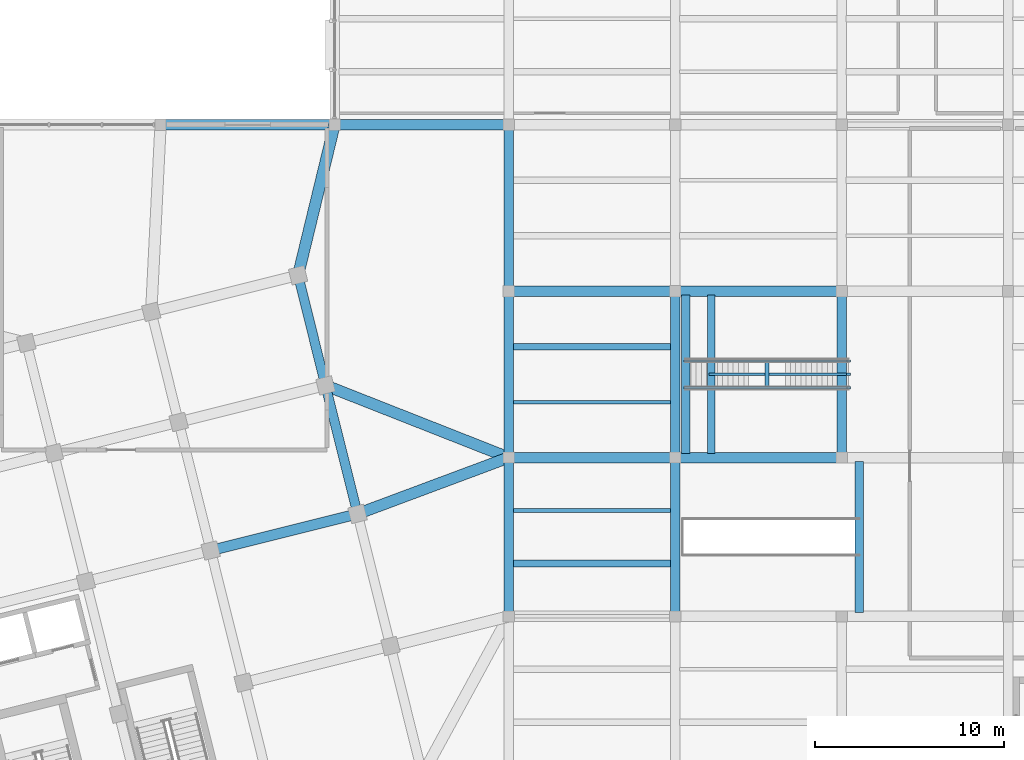
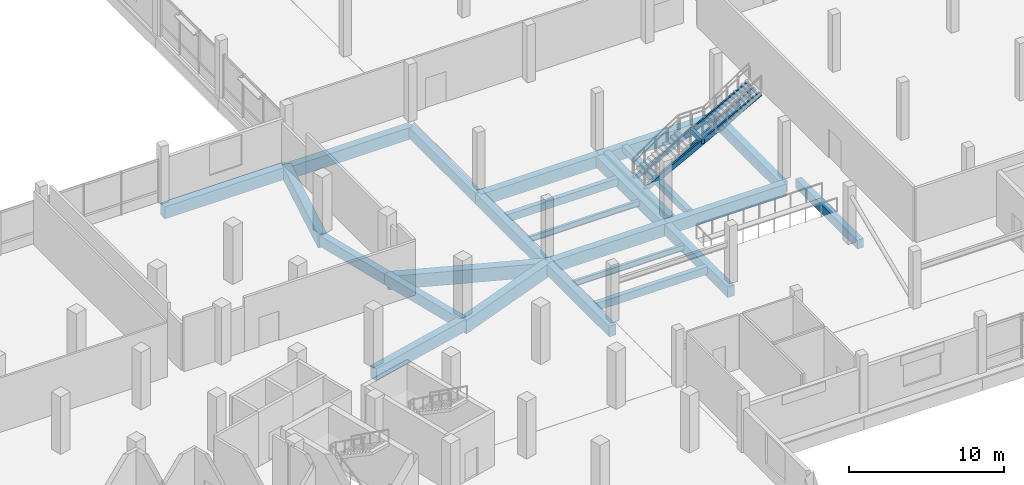
# One storey, part 42 of 77: 26 beams, 3 members.
"""IFC4 building model written with IfcOpenShell, lengths in metres."""

from ifc_helpers import new_model, si_unit, direction, frame, origin, origin_2d, place, context, subcontext, project, spatial, rectangle, i_section, extrude, material, material_profile, profile_set, type_object, element, save


model = new_model("IFC4")

# Units and contexts
model_context = context("Model", 3, precision=1e-05, world=origin(), true_north=direction((0.0, 1.0)))
body_context = subcontext(model_context, "Body", "Model", "MODEL_VIEW")
ifc_project = project(units=[si_unit("LENGTHUNIT", "METRE"), si_unit("AREAUNIT", "SQUARE_METRE"), si_unit("VOLUMEUNIT", "CUBIC_METRE"), si_unit("PLANEANGLEUNIT", "RADIAN"), si_unit("MASSUNIT", "GRAM", prefix="KILO")], contexts=[model_context])

# Site, building, storey
site_placement = place(None, origin())
site = spatial("IfcSite", under=ifc_project, at=site_placement, CompositionType="ELEMENT")
building_placement = place(site_placement, origin())
building = spatial("IfcBuilding", under=site, at=building_placement, Name="Meriwether Solvik Hall", CompositionType="ELEMENT")
storey_placement = place(building_placement, frame((0.0, 0.0, 9.89990234375)))
storey = spatial("IfcBuildingStorey", under=building, at=storey_placement, Name="L02", CompositionType="ELEMENT", Elevation=9.89990234375)

# Beams
ifc_material_1 = material(Name="Glulam Douglas-Fir 24F-V8 GL28h", Category="wood")
ifc_material_profile_1 = material_profile(ifc_material_1, rectangle(XDim=0.221923828125, YDim=0.340087890625, at=origin_2d()), Name="GLB-222X340")
ifc_profile_set_1 = profile_set([ifc_material_profile_1], Name="Glulam Douglas-Fir 24F-V8 GL28h")
beam_type_1 = type_object("IfcBeamType", Name="BM-LND-GL-222X340", PredefinedType="BEAM", material=ifc_profile_set_1)
beam_1_placement = place(storey_placement, frame((127.860107421875, 78.824951171875, 1.905029296875), z_axis=(0.0, 1.0, 0.0), x_axis=(-1.0, 0.0, 0.0)))
element("IfcBeam", 1, at=beam_1_placement, inside=storey, type_object=beam_type_1, Name="Stair ST-LB3 Landing Cross-Bearer", PredefinedType="BEAM", context=body_context, shape_type="SweptSolid", body=[
    extrude(rectangle(XDim=0.221923828125, YDim=0.340087890625, at=origin_2d()), origin(), (0.0, 0.0, 1.0), 1.550048828125),
])
ifc_material_2 = material(Name="Concrete C40/50", Category="concrete")
ifc_material_profile_2 = material_profile(ifc_material_2, rectangle(XDim=0.39990234375, YDim=0.47998046875, at=origin_2d()), Name="RCB-400X480")
ifc_profile_set_2 = profile_set([ifc_material_profile_2], Name="Concrete C40/50")
beam_type_2 = type_object("IfcBeamType", Name="BM-LND-RC-400X480", PredefinedType="BEAM", material=ifc_profile_set_2)
beam_2_placement = place(storey_placement, frame((124.8994140625, 75.4150390625, -0.56982421875), z_axis=(0.0, 1.0, 0.0), x_axis=(-1.0, 0.0, 0.0)))
element("IfcBeam", 2, at=beam_2_placement, inside=storey, type_object=beam_type_2, Name="Stair ST-LB3 Spine Trimmer Beam", PredefinedType="BEAM", context=body_context, shape_type="SweptSolid", body=[
    extrude(rectangle(XDim=0.39990234375, YDim=0.47998046875, at=origin_2d()), origin(), (0.0, 0.0, 1.0), 8.369873046875),
])
ifc_material_3 = material(Name="Concrete C40/50", Category="concrete")
ifc_material_profile_3 = material_profile(ifc_material_3, rectangle(XDim=0.35009765625, YDim=0.60009765625, at=origin_2d()), Name="RCB-350X600")
ifc_profile_set_3 = profile_set([ifc_material_profile_3], Name="Concrete C40/50")
beam_type_3 = type_object("IfcBeamType", Name="BM-RC-350X600", PredefinedType="JOIST", material=ifc_profile_set_3)
for number, where, z_axis, x_axis, name in (
    (3, (114.445068359375, 69.60009765625, -0.75), (1.0, 0.0, 0.0), (0.0, 1.0, 0.0), "Secondary Floor Joist 13/H_J1 (L02)"),
    (4, (114.445068359375, 81.066650390625, -0.75), (1.0, 0.0, 0.0), (0.0, 1.0, 0.0), "Secondary Floor Joist 13/I_J2 (L02)"),
):
    element("IfcBeam", number, at=place(storey_placement, frame(where, z_axis=z_axis, x_axis=x_axis)), inside=storey, type_object=beam_type_3, Name=name, PredefinedType="JOIST", context=body_context, shape_type="SweptSolid", body=[
        extrude(rectangle(XDim=0.35009765625, YDim=0.60009765625, at=origin_2d()), origin(), (0.0, 0.0, 1.0), 8.309814453125),
    ])
ifc_material_4 = material(Name="Concrete C40/50", Category="concrete")
ifc_material_profile_4 = material_profile(ifc_material_4, rectangle(XDim=0.449951171875, YDim=0.699951171875, at=origin_2d()), Name="RCB-450X700")
ifc_profile_set_4 = profile_set([ifc_material_profile_4], Name="Concrete C40/50")
beam_type_4 = type_object("IfcBeamType", Name="BM-RC-450X700", PredefinedType="BEAM", material=ifc_profile_set_4)
beam_3_placement = place(storey_placement, frame((132.72998046875, 67.014892578125, -0.679931640625), z_axis=(0.0, 1.0, 0.0), x_axis=(-1.0, 0.0, 0.0)))
element("IfcBeam", 5, at=beam_3_placement, inside=storey, type_object=beam_type_4, Name="Stair ST-LB1 Top Trimmer Beam", PredefinedType="BEAM", context=body_context, shape_type="SweptSolid", body=[
    extrude(rectangle(XDim=0.449951171875, YDim=0.699951171875, at=origin_2d()), origin(), (0.0, 0.0, 1.0), 7.97021484375),
])
beam_4_placement = place(storey_placement, frame((123.550048828125, 75.4150390625, -0.679931640625), z_axis=(0.0, 1.0, 0.0), x_axis=(-1.0, 0.0, 0.0)))
element("IfcBeam", 6, at=beam_4_placement, inside=storey, type_object=beam_type_4, Name="Stair ST-LB3 Bottom Trimmer Beam", PredefinedType="BEAM", context=body_context, shape_type="SweptSolid", body=[
    extrude(rectangle(XDim=0.449951171875, YDim=0.699951171875, at=origin_2d()), origin(), (0.0, 0.0, 1.0), 8.369873046875),
])
ifc_material_5 = material(Name="Concrete C40/50", Category="concrete")
ifc_material_profile_5 = material_profile(ifc_material_5, rectangle(XDim=0.5, YDim=0.85009765625, at=origin_2d()), Name="RCB-500X850")
ifc_profile_set_5 = profile_set([ifc_material_profile_5], Name="Concrete C40/50")
beam_type_5 = type_object("IfcBeamType", Name="BM-RC-500X850", PredefinedType="BEAM", material=ifc_profile_set_5)
beam_5_placement = place(storey_placement, frame((114.199951171875, 66.800048828125, -0.875), z_axis=(0.0, 1.0, 0.0), x_axis=(-1.0, 0.0, 0.0)))
element("IfcBeam", 7, at=beam_5_placement, inside=storey, type_object=beam_type_5, Name="Podium Girder 13:H-I (L02)", PredefinedType="BEAM", context=body_context, shape_type="SweptSolid", body=[
    extrude(rectangle(XDim=0.5, YDim=0.85009765625, at=origin_2d()), origin(), (0.0, 0.0, 1.0), 8.39990234375),
])
for number, where, z_axis, x_axis, name in (
    (8, (114.199951171875, 75.199951171875, -0.875), (0.0, 1.0, 0.0), (-1.0, 0.0, 0.0), "Podium Girder 13:I-J (L02)"),
    (9, (114.199951171875, 84.0, -0.875), (0.0, 1.0, 0.0), (-1.0, 0.0, 0.0), "Podium Girder 13:J-K (L02)"),
):
    element("IfcBeam", number, at=place(storey_placement, frame(where, z_axis=z_axis, x_axis=x_axis)), inside=storey, type_object=beam_type_5, Name=name, PredefinedType="BEAM", context=body_context, shape_type="SweptSolid", body=[
        extrude(rectangle(XDim=0.5, YDim=0.85009765625, at=origin_2d()), origin(), (0.0, 0.0, 1.0), 8.800048828125),
    ])
beam_6_placement = place(storey_placement, frame((123.0, 66.800048828125, -0.875), z_axis=(0.0, 1.0, 0.0), x_axis=(-1.0, 0.0, 0.0)))
element("IfcBeam", 10, at=beam_6_placement, inside=storey, type_object=beam_type_5, Name="Podium Girder 14:H-I (L02)", PredefinedType="BEAM", context=body_context, shape_type="SweptSolid", body=[
    extrude(rectangle(XDim=0.5, YDim=0.85009765625, at=origin_2d()), origin(), (0.0, 0.0, 1.0), 8.39990234375),
])
for number, where, z_axis, x_axis, name in (
    (11, (123.0, 75.199951171875, -0.875), (0.0, 1.0, 0.0), (-1.0, 0.0, 0.0), "Podium Girder 14:I-J (L02)"),
    (12, (131.800048828125, 75.199951171875, -0.875), (0.0, 1.0, 0.0), (-1.0, 0.0, 0.0), "Podium Girder 15:I-J (L02)"),
):
    element("IfcBeam", number, at=place(storey_placement, frame(where, z_axis=z_axis, x_axis=x_axis)), inside=storey, type_object=beam_type_5, Name=name, PredefinedType="BEAM", context=body_context, shape_type="SweptSolid", body=[
        extrude(rectangle(XDim=0.5, YDim=0.85009765625, at=origin_2d()), origin(), (0.0, 0.0, 1.0), 8.800048828125),
    ])
beam_7_placement = place(storey_placement, frame((106.212646484375, 72.220703125, -0.7548828125), z_axis=(-0.241903692719, 0.970300264582, 0.0), x_axis=(-0.970300264582, -0.241903692719, 0.0)))
element("IfcBeam", 13, at=beam_7_placement, inside=storey, type_object=beam_type_5, Name="Tower Girder T7:TD-TE (L02)", PredefinedType="BEAM", context=body_context, shape_type="SweptSolid", body=[
    extrude(rectangle(XDim=0.5, YDim=0.85009765625, at=origin_2d()), origin(), (0.0, 0.0, 1.0), 7.000244140625),
])
beam_8_placement = place(storey_placement, frame((104.519287109375, 79.012939453125, -0.7548828125), z_axis=(-0.241941986192, 0.970290716908, 0.0), x_axis=(-0.970290716908, -0.241941986192, 0.0)))
element("IfcBeam", 14, at=beam_8_placement, inside=storey, type_object=beam_type_5, Name="Tower Girder T7:TE-TF (L02)", PredefinedType="BEAM", context=body_context, shape_type="SweptSolid", body=[
    extrude(rectangle(XDim=0.5, YDim=0.85009765625, at=origin_2d()), origin(), (0.0, 0.0, 1.0), 6.0),
])
ifc_material_6 = material(Name="Concrete C40/50", Category="concrete")
ifc_material_profile_6 = material_profile(ifc_material_6, rectangle(XDim=0.550048828125, YDim=0.949951171875, at=origin_2d()), Name="RCB-550X950")
ifc_profile_set_6 = profile_set([ifc_material_profile_6], Name="Concrete C40/50")
beam_type_6 = type_object("IfcBeamType", Name="BM-RC-550X950", PredefinedType="BEAM", material=ifc_profile_set_6)
for number, where, z_axis, x_axis, name in (
    (15, (114.199951171875, 75.199951171875, -0.9248046875), (1.0, 0.0, 0.0), (0.0, 1.0, 0.0), "Podium Girder I:13-14 (L02)"),
    (16, (123.0, 75.199951171875, -0.9248046875), (1.0, 0.0, 0.0), (0.0, 1.0, 0.0), "Podium Girder I:14-15 (L02)"),
    (17, (114.199951171875, 84.0, -0.9248046875), (1.0, 0.0, 0.0), (0.0, 1.0, 0.0), "Podium Girder J:13-14 (L02)"),
    (18, (123.0, 84.0, -0.9248046875), (1.0, 0.0, 0.0), (0.0, 1.0, 0.0), "Podium Girder J:14-15 (L02)"),
):
    element("IfcBeam", number, at=place(storey_placement, frame(where, z_axis=z_axis, x_axis=x_axis)), inside=storey, type_object=beam_type_6, Name=name, PredefinedType="BEAM", context=body_context, shape_type="SweptSolid", body=[
        extrude(rectangle(XDim=0.550048828125, YDim=0.949951171875, at=origin_2d()), origin(), (0.0, 0.0, 1.0), 8.800048828125),
    ])
for number, where, z_axis, x_axis, name in (
    (19, (95.800048828125, 92.800048828125, -0.804931640625), (1.0, 0.0, 0.0), (0.0, 1.0, 0.0), "Podium Girder K:11-12 (L02)"),
    (20, (105.0, 92.800048828125, -0.9248046875), (1.0, 0.0, 0.0), (0.0, 1.0, 0.0), "Podium Girder K:12-13 (L02)"),
):
    element("IfcBeam", number, at=place(storey_placement, frame(where, z_axis=z_axis, x_axis=x_axis)), inside=storey, type_object=beam_type_6, Name=name, PredefinedType="BEAM", context=body_context, shape_type="SweptSolid", body=[
        extrude(rectangle(XDim=0.550048828125, YDim=0.949951171875, at=origin_2d()), origin(), (0.0, 0.0, 1.0), 9.199951171875),
    ])
beam_9_placement = place(storey_placement, frame((98.4501953125, 70.285400390625, -0.804931640625), z_axis=(0.970298475929, 0.241910867076, 0.0), x_axis=(-0.241910867076, 0.970298475929, 0.0)))
element("IfcBeam", 21, at=beam_9_placement, inside=storey, type_object=beam_type_6, Name="Tower Girder TD:T6-T7 (L02)", PredefinedType="BEAM", context=body_context, shape_type="SweptSolid", body=[
    extrude(rectangle(XDim=0.550048828125, YDim=0.949951171875, at=origin_2d()), origin(), (0.0, 0.0, 1.0), 8.0),
])
ifc_material_7 = material(Name="Concrete C40/50", Category="concrete")
ifc_material_profile_7 = material_profile(ifc_material_7, rectangle(XDim=0.60009765625, YDim=1.050048828125, at=origin_2d()), Name="RCB-600X1050")
ifc_profile_set_7 = profile_set([ifc_material_profile_7], Name="Concrete C40/50")
beam_type_7 = type_object("IfcBeamType", Name="BM-RC-600X1050", PredefinedType="BEAM", material=ifc_profile_set_7)
beam_10_placement = place(storey_placement, frame((106.212646484375, 72.220703125, -0.974853515625), z_axis=(0.93694444662, 0.349478331156, 0.0), x_axis=(-0.349478331156, 0.93694444662, 0.0)))
element("IfcBeam", 22, at=beam_10_placement, inside=storey, type_object=beam_type_7, Name="Diaphragm Collector Girder T7/TD-13/I (L02)", PredefinedType="BEAM", context=body_context, shape_type="SweptSolid", body=[
    extrude(rectangle(XDim=0.60009765625, YDim=1.050048828125, at=origin_2d()), origin(), (0.0, 0.0, 1.0), 8.52490234375),
])
beam_11_placement = place(storey_placement, frame((104.519287109375, 79.012939453125, -0.974853515625), z_axis=(0.930428275018, -0.366474044165, 0.0), x_axis=(0.366474044165, 0.930428275018, 0.0)))
element("IfcBeam", 23, at=beam_11_placement, inside=storey, type_object=beam_type_7, Name="Diaphragm Collector Girder T7/TE-13/I (L02)", PredefinedType="BEAM", context=body_context, shape_type="SweptSolid", body=[
    extrude(rectangle(XDim=0.60009765625, YDim=1.050048828125, at=origin_2d()), origin(), (0.0, 0.0, 1.0), 10.404541015625),
])
beam_12_placement = place(storey_placement, frame((103.067626953125, 84.834716796875, -0.85498046875), z_axis=(0.235759443043, 0.971811445197, 0.0), x_axis=(-0.971811445197, 0.235759443043, 0.0)))
element("IfcBeam", 24, at=beam_12_placement, inside=storey, type_object=beam_type_7, Name="Diaphragm Collector Girder T7/TF-12/K (L02)", PredefinedType="BEAM", context=body_context, shape_type="SweptSolid", body=[
    extrude(rectangle(XDim=0.60009765625, YDim=1.050048828125, at=origin_2d()), origin(), (0.0, 0.0, 1.0), 8.1962890625),
])
ifc_material_8 = material(Name="Steel A992 Grade 50", Category="steel")
ifc_material_profile_8 = material_profile(ifc_material_8, i_section(OverallWidth=0.19091796875, OverallDepth=0.45703125, WebThickness=0.009033203125, FlangeThickness=0.014404296875, at=origin_2d()), Name="W18X50")
ifc_profile_set_8 = profile_set([ifc_material_profile_8], Name="Steel A992 Grade 50")
beam_type_8 = type_object("IfcBeamType", Name="BM-STL-W18X50", PredefinedType="JOIST", material=ifc_profile_set_8)
for number, where, z_axis, x_axis, name in (
    (25, (114.445068359375, 72.39990234375, -0.678466796875), (1.0, 0.0, 0.0), (0.0, 1.0, 0.0), "Secondary Floor Joist 13/H_J2 (L02)"),
    (26, (114.445068359375, 78.13330078125, -0.678466796875), (1.0, 0.0, 0.0), (0.0, 1.0, 0.0), "Secondary Floor Joist 13/I_J1 (L02)"),
):
    element("IfcBeam", number, at=place(storey_placement, frame(where, z_axis=z_axis, x_axis=x_axis)), inside=storey, type_object=beam_type_8, Name=name, PredefinedType="JOIST", context=body_context, shape_type="SweptSolid", body=[
        extrude(i_section(OverallWidth=0.19091796875, OverallDepth=0.45703125, WebThickness=0.009033203125, FlangeThickness=0.014404296875, at=origin_2d()), origin(), (0.0, 0.0, 1.0), 8.309814453125),
    ])

# Members
ifc_material_9 = material(Name="Glulam Douglas-Fir 24F-V8 GL28h", Category="wood")
ifc_material_profile_9 = material_profile(ifc_material_9, rectangle(XDim=0.1298828125, YDim=0.3798828125, at=origin_2d()), Name="GLM-130X380")
ifc_profile_set_9 = profile_set([ifc_material_profile_9], Name="Glulam Douglas-Fir 24F-V8 GL28h")
member_type = type_object("IfcMemberType", Name="MEM-STR-GL130", PredefinedType="STRINGER", material=ifc_profile_set_9)
for number, where, z_axis, x_axis, name in (
    (27, (123.550048828125, 78.89501953125, -0.449951171875), (0.882875697975, 0.0, 0.469606752428), (0.0, 1.0, 0.0), "Stair ST-LB3 Glulam Stringer L"),
    (28, (123.550048828125, 80.304931640625, -0.449951171875), (0.882875697975, 0.0, 0.469606752428), (0.0, 1.0, 0.0), "Stair ST-LB3 Glulam Stringer R"),
):
    element("IfcMember", number, at=place(storey_placement, frame(where, z_axis=z_axis, x_axis=x_axis)), inside=storey, type_object=member_type, Name=name, PredefinedType="STRINGER", context=body_context, shape_type="SweptSolid", body=[
        extrude(rectangle(XDim=0.1298828125, YDim=0.3798828125, at=origin_2d()), origin(), (0.0, 0.0, 1.0), 9.763427734375),
    ])
member_placement = place(storey_placement, frame((124.8994140625, 79.60009765625, -0.449951171875), z_axis=(0.845853169494, 0.0, 0.53341579997), x_axis=(0.0, 1.0, 0.0)))
element("IfcMember", 29, at=member_placement, inside=storey, type_object=member_type, Name="Stair ST-LB3 Glulam Stringer C", PredefinedType="STRINGER", context=body_context, shape_type="SweptSolid", body=[
    extrude(rectangle(XDim=0.1298828125, YDim=0.3798828125, at=origin_2d()), origin(), (0.0, 0.0, 1.0), 8.595458984375),
])

save(model, "model.ifc")
